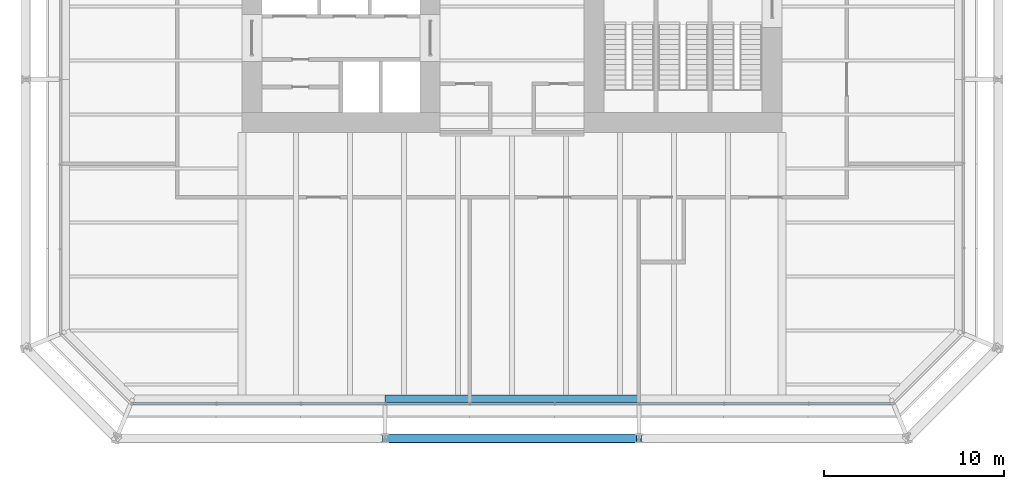
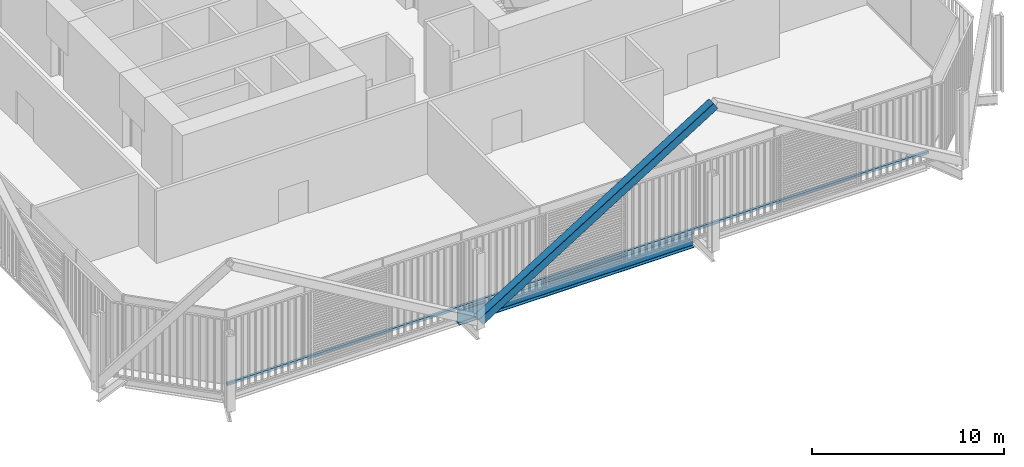
# One storey, part 3 of 22: 2 members, 1 beam, 1 element without a shape of its own.
"""IFC4 building model written with IfcOpenShell, lengths in metres."""

from ifc_helpers import new_model, si_unit, direction, frame, origin, origin_2d, place, context, subcontext, project, spatial, rectangle, hollow_rectangle, i_section, extrude, material, layer, layer_set, material_profile, profile_set, type_object, element, aggregate, save


model = new_model("IFC4")

# Units and contexts
model_context = context("Model", 3, precision=1e-05, world=origin(), true_north=direction((0.0, 1.0)))
body_context = subcontext(model_context, "Body", "Model", "MODEL_VIEW")
ifc_project = project(units=[si_unit("LENGTHUNIT", "METRE"), si_unit("AREAUNIT", "SQUARE_METRE"), si_unit("VOLUMEUNIT", "CUBIC_METRE"), si_unit("PLANEANGLEUNIT", "RADIAN"), si_unit("MASSUNIT", "GRAM", prefix="KILO")], contexts=[model_context])

# Site, building, storey
site_placement = place(None, origin())
site = spatial("IfcSite", under=ifc_project, at=site_placement, CompositionType="ELEMENT")
building_placement = place(site_placement, origin())
building = spatial("IfcBuilding", under=site, at=building_placement, Name="Millrace Tower", CompositionType="ELEMENT")
storey_placement = place(building_placement, frame((0.0, 0.0, 35.300048828125)))
storey = spatial("IfcBuildingStorey", under=building, at=storey_placement, Name="L08", CompositionType="ELEMENT", Elevation=35.300048828125)

# Curtain wall, member
ifc_material_1 = material(Name="Aluminium and glass", Category="aluminium")
ifc_layer = layer(ifc_material_1, 0.14990234375)
ifc_layer_set = layer_set([ifc_layer], Name="Aluminium and glass")
curtain_wall_type = type_object("IfcCurtainWallType", Name="CW-2 data hall insulated curtain wall", PredefinedType="NOTDEFINED", material=ifc_layer_set)
curtain_wall_placement = place(storey_placement, origin())
curtain_wall = element("IfcCurtainWall", 1, at=curtain_wall_placement, inside=storey, type_object=curtain_wall_type, Name="Curtain wall A-F02 L08", PredefinedType="NOTDEFINED")
ifc_material_2 = material(Name="Aluminium", Category="aluminium")
ifc_material_profile_1 = material_profile(ifc_material_2, rectangle(XDim=0.14990234375, YDim=0.159912109375, at=origin_2d()))
ifc_profile_set_1 = profile_set([ifc_material_profile_1], Name="Aluminium")
member_type_1 = type_object("IfcMemberType", Name="CW-2 data hall insulated curtain wall transom", PredefinedType="USERDEFINED", material=ifc_profile_set_1)
member_1_placement = place(storey_placement, frame((-21.050048828125, -25.074951171875, 0.079833984375), z_axis=(1.0, 0.0, 0.0), x_axis=(0.0, 1.0, 0.0)))
member_1 = element("IfcMember", 2, at=member_1_placement, type_object=member_type_1, Name="CW2 transom A-F02.1", ObjectType="TRANSOM", PredefinedType="USERDEFINED", context=body_context, shape_type="SweptSolid", body=[
    extrude(rectangle(XDim=0.14990234375, YDim=0.159912109375, at=origin_2d()), origin(), (0.0, 0.0, 1.0), 42.10009765625),
])
aggregate(curtain_wall, [member_1])

# Member
ifc_material_3 = material(Name="Steel ASTM A500 Grade C", Category="steel")
ifc_material_profile_2 = material_profile(ifc_material_3, hollow_rectangle(XDim=0.508056640625, YDim=0.508056640625, WallThickness=0.01904296875, InnerFilletRadius=0.009521484375, OuterFilletRadius=0.028564453125, at=origin_2d()))
ifc_profile_set_2 = profile_set([ifc_material_profile_2], Name="Steel ASTM A500 Grade C")
member_type_2 = type_object("IfcMemberType", Name="Exoskeleton brace HSS20x20x3/4", PredefinedType="BRACE", material=ifc_profile_set_2)
member_2_placement = place(storey_placement, frame((-7.050048828125, -27.0, 0.39990234375), z_axis=(0.848336468551, 0.0, 0.529457492276), x_axis=(0.0, 1.0, 0.0)))
element("IfcMember", 3, at=member_2_placement, inside=storey, type_object=member_type_2, Name="BRC-A-L08-03", PredefinedType="BRACE", context=body_context, shape_type="SweptSolid", body=[
    extrude(hollow_rectangle(XDim=0.508056640625, YDim=0.508056640625, WallThickness=0.01904296875, InnerFilletRadius=0.009521484375, OuterFilletRadius=0.028564453125, at=origin_2d()), origin(), (0.0, 0.0, 1.0), 16.620849609375),
])

# Beam
ifc_material_4 = material(Name="Steel ASTM A992 Grade 50", Category="steel")
ifc_material_profile_3 = material_profile(ifc_material_4, i_section(OverallWidth=0.421630859375, OverallDepth=0.937255859375, WebThickness=0.021240234375, FlangeThickness=0.03662109375, FilletRadius=0.024169921875, at=origin_2d()))
ifc_profile_set_3 = profile_set([ifc_material_profile_3], Name="Steel ASTM A992 Grade 50")
beam_type = type_object("IfcBeamType", Name="Ring beam medium span W36x262", PredefinedType="SPANDREL", material=ifc_profile_set_3)
beam_placement = place(storey_placement, frame((7.050048828125, -24.7890625, -0.693603515625), z_axis=(-1.0, 0.0, 0.0), x_axis=(0.0, -1.0, 0.0)))
element("IfcBeam", 4, at=beam_placement, inside=storey, type_object=beam_type, Name="RNG-A-L08-S1-14", PredefinedType="SPANDREL", context=body_context, shape_type="SweptSolid", body=[
    extrude(i_section(OverallWidth=0.421630859375, OverallDepth=0.937255859375, WebThickness=0.021240234375, FlangeThickness=0.03662109375, FilletRadius=0.024169921875, at=origin_2d()), origin(), (0.0, 0.0, 1.0), 14.10009765625),
])

save(model, "model.ifc")
